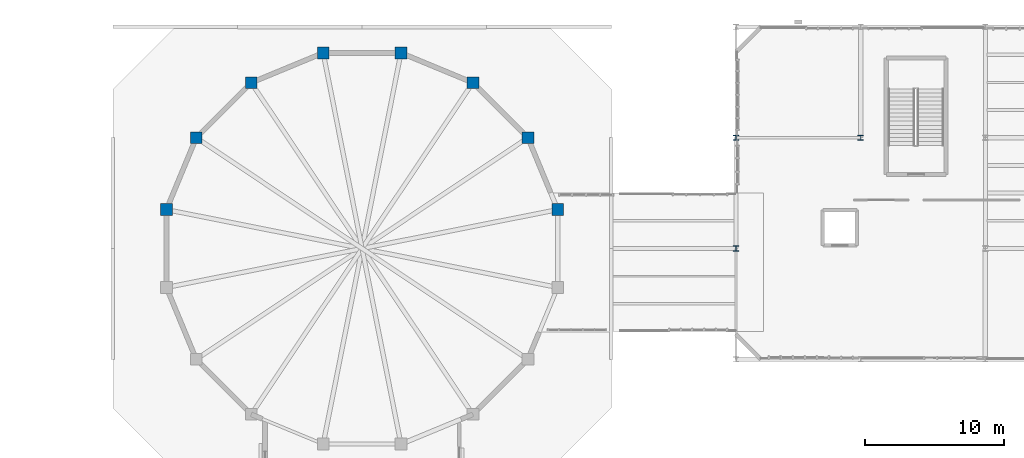
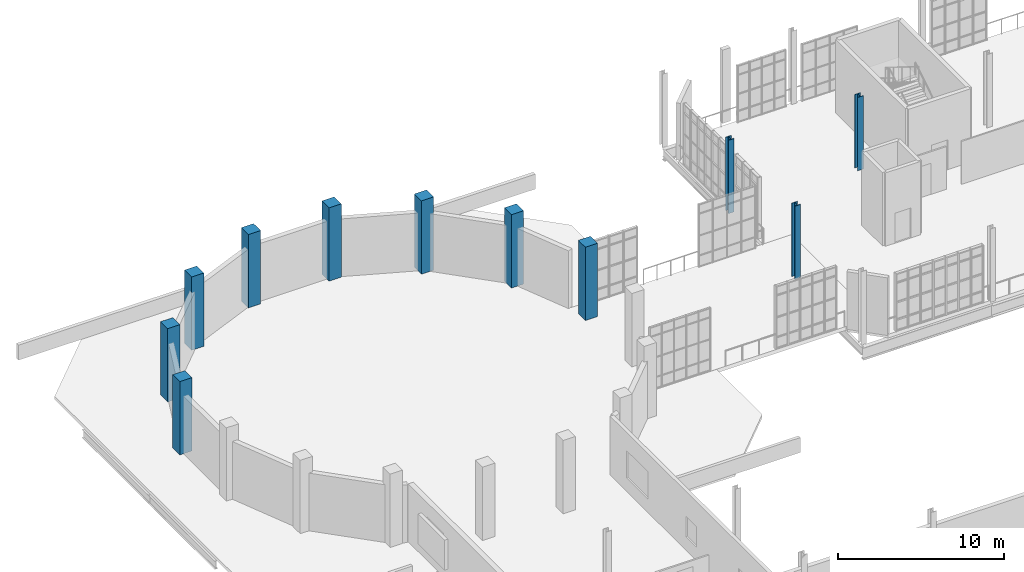
# One storey, part 10 of 142: 11 columns.
"""IFC4 building model written with IfcOpenShell, lengths in metres."""

from ifc_helpers import new_model, si_unit, direction, frame, origin, origin_2d, place, context, subcontext, project, spatial, rectangle, i_section, extrude, material, material_profile, profile_set, type_object, element, save


model = new_model("IFC4")

# Units and contexts
model_context = context("Model", 3, precision=1e-05, world=origin(), true_north=direction((0.0, 1.0)))
body_context = subcontext(model_context, "Body", "Model", "MODEL_VIEW")
ifc_project = project(units=[si_unit("LENGTHUNIT", "METRE"), si_unit("AREAUNIT", "SQUARE_METRE"), si_unit("VOLUMEUNIT", "CUBIC_METRE"), si_unit("PLANEANGLEUNIT", "RADIAN"), si_unit("MASSUNIT", "GRAM", prefix="KILO"), si_unit("THERMODYNAMICTEMPERATUREUNIT", "KELVIN"), si_unit("POWERUNIT", "WATT")], contexts=[model_context])

# Site, building, storey
site_placement = place(None, origin())
site = spatial("IfcSite", under=ifc_project, at=site_placement, CompositionType="ELEMENT")
building_placement = place(site_placement, origin())
building = spatial("IfcBuilding", under=site, at=building_placement, Name="Zelmaris Science Centre", CompositionType="ELEMENT")
storey_placement = place(building_placement, frame((0.0, 0.0, 5.39990234375)))
storey = spatial("IfcBuildingStorey", under=building, at=storey_placement, Name="L01", CompositionType="ELEMENT", Elevation=5.39990234375)

# Columns
ifc_material_1 = material(Name="Steel ASTM A992 Grade 50", Category="steel")
ifc_material_profile_1 = material_profile(ifc_material_1, i_section(OverallWidth=0.39892578125, OverallDepth=0.385986328125, WebThickness=0.02099609375, FlangeThickness=0.033203125, FilletRadius=0.014892578125, at=origin_2d()), Name="W14X176")
ifc_profile_set_1 = profile_set([ifc_material_profile_1], Name="Steel ASTM A992 Grade 50")
column_type_1 = type_object("IfcColumnType", Name="Column C-04 W14X176", PredefinedType="COLUMN", material=ifc_profile_set_1)
for number, where, z_axis, x_axis, name in (
    (1, (54.0, 72.0, 0.0), (0.0, 0.0, 1.0), (1.0, 0.0, 0.0), "Column V5-C-54-72 L01"),
    (2, (54.0, 80.0, 0.0), (0.0, 0.0, 1.0), (1.0, 0.0, 0.0), "Column V5-C-54-80 L01"),
    (3, (63.0, 80.0, 0.0), (0.0, 0.0, 1.0), (1.0, 0.0, 0.0), "Column V5-C-63-80 L01"),
):
    element("IfcColumn", number, at=place(storey_placement, frame(where, z_axis=z_axis, x_axis=x_axis)), inside=storey, type_object=column_type_1, Name=name, PredefinedType="COLUMN", context=body_context, shape_type="SweptSolid", body=[
        extrude(i_section(OverallWidth=0.39892578125, OverallDepth=0.385986328125, WebThickness=0.02099609375, FlangeThickness=0.033203125, FilletRadius=0.014892578125, at=origin_2d()), origin(), (0.0, 0.0, 1.0), 5.400146484375),
    ])
ifc_material_2 = material(Name="Concrete C40/50", Category="concrete")
ifc_material_profile_2 = material_profile(ifc_material_2, rectangle(XDim=0.85009765625, YDim=0.85009765625, at=origin_2d()), Name="RC-COL-850X850")
ifc_profile_set_2 = profile_set([ifc_material_profile_2], Name="Concrete C40/50")
column_type_2 = type_object("IfcColumnType", Name="Column C-14 RC-COL-850X850", PredefinedType="COLUMN", material=ifc_profile_set_2)
for number, where, z_axis, x_axis, name in (
    (4, (41.123291015625, 74.809326171875, 0.0), (0.0, 0.0, 1.0), (1.0, 0.0, 0.0), "Column V1-DC01 L01"),
    (5, (38.97314453125, 80.000244140625, 0.0), (0.0, 0.0, 1.0), (1.0, 0.0, 0.0), "Column V1-DC02 L01"),
    (6, (35.000244140625, 83.97314453125, 0.0), (0.0, 0.0, 1.0), (1.0, 0.0, 0.0), "Column V1-DC03 L01"),
    (7, (29.809326171875, 86.123291015625, 0.0), (0.0, 0.0, 1.0), (1.0, 0.0, 0.0), "Column V1-DC04 L01"),
    (8, (24.190673828125, 86.123291015625, 0.0), (0.0, 0.0, 1.0), (1.0, 0.0, 0.0), "Column V1-DC05 L01"),
    (9, (18.999755859375, 83.97314453125, 0.0), (0.0, 0.0, 1.0), (1.0, 0.0, 0.0), "Column V1-DC06 L01"),
    (10, (15.02685546875, 80.000244140625, 0.0), (0.0, 0.0, 1.0), (1.0, 0.0, 0.0), "Column V1-DC07 L01"),
    (11, (12.876708984375, 74.809326171875, 0.0), (0.0, 0.0, 1.0), (1.0, 0.0, 0.0), "Column V1-DC08 L01"),
):
    element("IfcColumn", number, at=place(storey_placement, frame(where, z_axis=z_axis, x_axis=x_axis)), inside=storey, type_object=column_type_2, Name=name, PredefinedType="COLUMN", context=body_context, shape_type="SweptSolid", body=[
        extrude(rectangle(XDim=0.85009765625, YDim=0.85009765625, at=origin_2d()), origin(), (0.0, 0.0, 1.0), 5.400146484375),
    ])

save(model, "model.ifc")
